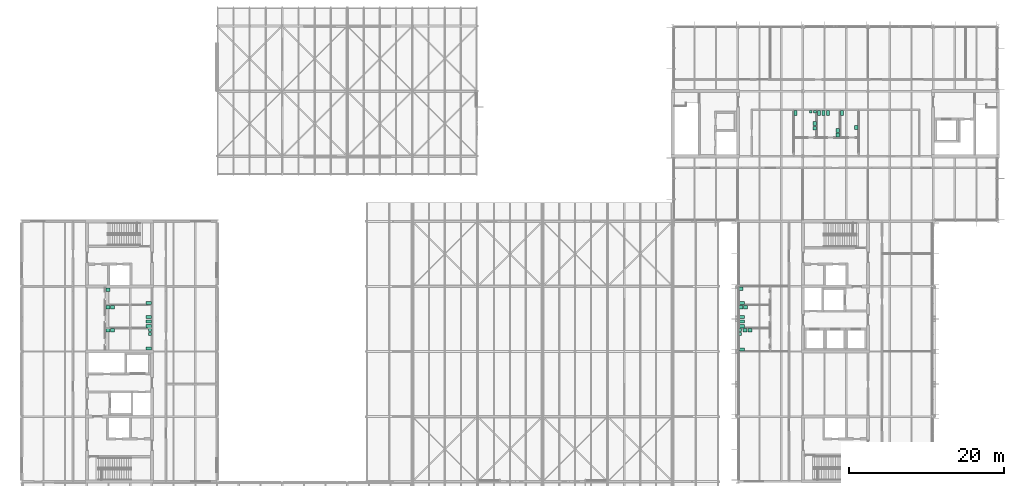
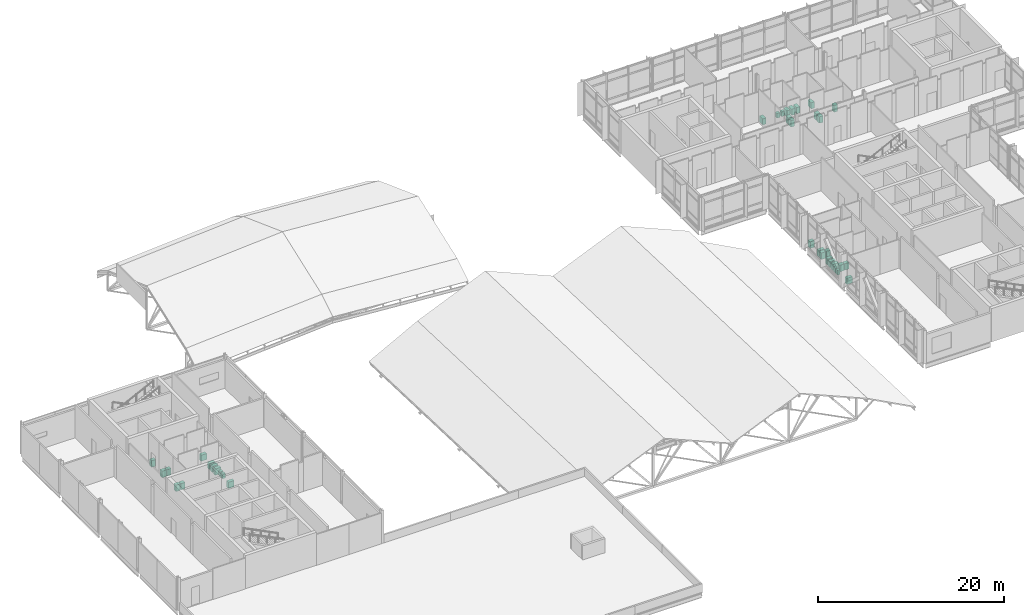
# One storey, part 76 of 76: 36 sanitary terminals.
"""IFC4 building model written with IfcOpenShell, lengths in metres."""

from ifc_helpers import new_model, si_unit, direction, frame, origin, origin_2d, place, context, subcontext, project, spatial, rectangle, extrude, element, save


model = new_model("IFC4")

# Units and contexts
model_context = context("Model", 3, precision=1e-05, world=origin(), true_north=direction((0.0, 1.0)))
body_context = subcontext(model_context, "Body", "Model", "MODEL_VIEW")
ifc_project = project(units=[si_unit("LENGTHUNIT", "METRE"), si_unit("AREAUNIT", "SQUARE_METRE"), si_unit("VOLUMEUNIT", "CUBIC_METRE"), si_unit("PLANEANGLEUNIT", "RADIAN"), si_unit("MASSUNIT", "GRAM", prefix="KILO")], contexts=[model_context])

# Site, building, storey
site_placement = place(None, origin())
site = spatial("IfcSite", under=ifc_project, at=site_placement, CompositionType="ELEMENT")
building_placement = place(site_placement, origin())
building = spatial("IfcBuilding", under=site, at=building_placement, Name="Hlaing Beacon Police Headquarters", CompositionType="ELEMENT")
storey_placement = place(building_placement, frame((0.0, 0.0, 18.89990234375)))
storey = spatial("IfcBuildingStorey", under=building, at=storey_placement, Name="L04", CompositionType="ELEMENT", Elevation=18.89990234375)

# Sanitary terminals
sanitary_terminal_1_placement = place(storey_placement, frame((101.300048828125, 56.6630859375, 0.0), z_axis=(0.0, 0.0, 1.0), x_axis=(1.0, 0.0, 0.0)))
element("IfcSanitaryTerminal", 1, at=sanitary_terminal_1_placement, inside=storey, Name="Water closet", PredefinedType="TOILETPAN", context=body_context, shape_type="SweptSolid", body=[
    extrude(rectangle(XDim=0.699951171875, YDim=0.39990234375, at=origin_2d()), origin(), (0.0, 0.0, 1.0), 0.800048828125),
])
sanitary_terminal_2_placement = place(storey_placement, frame((101.199951171875, 58.512939453125, 0.0), z_axis=(0.0, 0.0, 1.0), x_axis=(1.0, 0.0, 0.0)))
element("IfcSanitaryTerminal", 2, at=sanitary_terminal_2_placement, inside=storey, Name="Wash basin", PredefinedType="WASHHANDBASIN", context=body_context, shape_type="SweptSolid", body=[
    extrude(rectangle(XDim=0.5, YDim=0.449951171875, at=origin_2d()), origin(), (0.0, 0.0, 1.0), 0.85009765625),
])
for number, where, z_axis, x_axis, name in (
    (3, (101.300048828125, 53.662109375, 0.0), (0.0, 0.0, 1.0), (1.0, 0.0, 0.0), "Water closet"),
    (4, (101.300048828125, 54.262939453125, 0.0), (0.0, 0.0, 1.0), (1.0, 0.0, 0.0), "Water closet"),
    (5, (101.300048828125, 54.863037109375, 0.0), (0.0, 0.0, 1.0), (1.0, 0.0, 0.0), "Water closet"),
):
    element("IfcSanitaryTerminal", number, at=place(storey_placement, frame(where, z_axis=z_axis, x_axis=x_axis)), inside=storey, Name=name, PredefinedType="TOILETPAN", context=body_context, shape_type="SweptSolid", body=[
        extrude(rectangle(XDim=0.699951171875, YDim=0.39990234375, at=origin_2d()), origin(), (0.0, 0.0, 1.0), 0.800048828125),
    ])
for number, where, z_axis, x_axis, name in (
    (6, (101.199951171875, 56.112060546875, 0.0), (0.0, 0.0, 1.0), (1.0, 0.0, 0.0), "Wash basin"),
    (7, (101.800048828125, 56.112060546875, 0.0), (0.0, 0.0, 1.0), (1.0, 0.0, 0.0), "Wash basin"),
):
    element("IfcSanitaryTerminal", number, at=place(storey_placement, frame(where, z_axis=z_axis, x_axis=x_axis)), inside=storey, Name=name, PredefinedType="WASHHANDBASIN", context=body_context, shape_type="SweptSolid", body=[
        extrude(rectangle(XDim=0.5, YDim=0.449951171875, at=origin_2d()), origin(), (0.0, 0.0, 1.0), 0.85009765625),
    ])
sanitary_terminal_3_placement = place(storey_placement, frame((101.300048828125, 50.6630859375, 0.0), z_axis=(0.0, 0.0, 1.0), x_axis=(1.0, 0.0, 0.0)))
element("IfcSanitaryTerminal", 8, at=sanitary_terminal_3_placement, inside=storey, Name="Water closet", PredefinedType="TOILETPAN", context=body_context, shape_type="SweptSolid", body=[
    extrude(rectangle(XDim=0.699951171875, YDim=0.39990234375, at=origin_2d()), origin(), (0.0, 0.0, 1.0), 0.800048828125),
])
for number, where, z_axis, x_axis, name in (
    (9, (101.125, 53.162109375, 0.0), (0.0, 0.0, 1.0), (1.0, 0.0, 0.0), "Urinal"),
    (10, (101.125, 52.6630859375, 0.0), (0.0, 0.0, 1.0), (1.0, 0.0, 0.0), "Urinal"),
):
    element("IfcSanitaryTerminal", number, at=place(storey_placement, frame(where, z_axis=z_axis, x_axis=x_axis)), inside=storey, Name=name, PredefinedType="URINAL", context=body_context, shape_type="SweptSolid", body=[
        extrude(rectangle(XDim=0.35009765625, YDim=0.35009765625, at=origin_2d()), origin(), (0.0, 0.0, 1.0), 0.60009765625),
    ])
for number, where, z_axis, x_axis, name in (
    (11, (101.75, 53.112060546875, 0.0), (0.0, 0.0, 1.0), (1.0, 0.0, 0.0), "Wash basin"),
    (12, (102.35009765625, 53.112060546875, 0.0), (0.0, 0.0, 1.0), (1.0, 0.0, 0.0), "Wash basin"),
):
    element("IfcSanitaryTerminal", number, at=place(storey_placement, frame(where, z_axis=z_axis, x_axis=x_axis)), inside=storey, Name=name, PredefinedType="WASHHANDBASIN", context=body_context, shape_type="SweptSolid", body=[
        extrude(rectangle(XDim=0.5, YDim=0.449951171875, at=origin_2d()), origin(), (0.0, 0.0, 1.0), 0.85009765625),
    ])
sanitary_terminal_4_placement = place(storey_placement, frame((24.77490234375, 56.6630859375, 0.0), z_axis=(0.0, 0.0, 1.0), x_axis=(1.0, 0.0, 0.0)))
element("IfcSanitaryTerminal", 13, at=sanitary_terminal_4_placement, inside=storey, Name="Water closet", PredefinedType="TOILETPAN", context=body_context, shape_type="SweptSolid", body=[
    extrude(rectangle(XDim=0.699951171875, YDim=0.39990234375, at=origin_2d()), origin(), (0.0, 0.0, 1.0), 0.800048828125),
])
sanitary_terminal_5_placement = place(storey_placement, frame((19.511962890625, 58.375, 0.0), z_axis=(0.0, 0.0, 1.0), x_axis=(1.0, 0.0, 0.0)))
element("IfcSanitaryTerminal", 14, at=sanitary_terminal_5_placement, inside=storey, Name="Wash basin", PredefinedType="WASHHANDBASIN", context=body_context, shape_type="SweptSolid", body=[
    extrude(rectangle(XDim=0.5, YDim=0.449951171875, at=origin_2d()), origin(), (0.0, 0.0, 1.0), 0.85009765625),
])
for number, where, z_axis, x_axis, name in (
    (15, (24.77490234375, 53.6630859375, 0.0), (0.0, 0.0, 1.0), (1.0, 0.0, 0.0), "Water closet"),
    (16, (24.77490234375, 54.261962890625, 0.0), (0.0, 0.0, 1.0), (1.0, 0.0, 0.0), "Water closet"),
    (17, (24.77490234375, 54.863037109375, 0.0), (0.0, 0.0, 1.0), (1.0, 0.0, 0.0), "Water closet"),
):
    element("IfcSanitaryTerminal", number, at=place(storey_placement, frame(where, z_axis=z_axis, x_axis=x_axis)), inside=storey, Name=name, PredefinedType="TOILETPAN", context=body_context, shape_type="SweptSolid", body=[
        extrude(rectangle(XDim=0.699951171875, YDim=0.39990234375, at=origin_2d()), origin(), (0.0, 0.0, 1.0), 0.800048828125),
    ])
for number, where, z_axis, x_axis, name in (
    (18, (19.511962890625, 56.112060546875, 0.0), (0.0, 0.0, 1.0), (1.0, 0.0, 0.0), "Wash basin"),
    (19, (20.113037109375, 56.112060546875, 0.0), (0.0, 0.0, 1.0), (1.0, 0.0, 0.0), "Wash basin"),
):
    element("IfcSanitaryTerminal", number, at=place(storey_placement, frame(where, z_axis=z_axis, x_axis=x_axis)), inside=storey, Name=name, PredefinedType="WASHHANDBASIN", context=body_context, shape_type="SweptSolid", body=[
        extrude(rectangle(XDim=0.5, YDim=0.449951171875, at=origin_2d()), origin(), (0.0, 0.0, 1.0), 0.85009765625),
    ])
sanitary_terminal_6_placement = place(storey_placement, frame((24.77490234375, 50.800048828125, 0.0), z_axis=(0.0, 0.0, 1.0), x_axis=(1.0, 0.0, 0.0)))
element("IfcSanitaryTerminal", 20, at=sanitary_terminal_6_placement, inside=storey, Name="Water closet", PredefinedType="TOILETPAN", context=body_context, shape_type="SweptSolid", body=[
    extrude(rectangle(XDim=0.699951171875, YDim=0.39990234375, at=origin_2d()), origin(), (0.0, 0.0, 1.0), 0.800048828125),
])
for number, where, z_axis, x_axis, name in (
    (21, (24.949951171875, 53.162109375, 0.0), (0.0, 0.0, 1.0), (1.0, 0.0, 0.0), "Urinal"),
    (22, (24.949951171875, 52.662109375, 0.0), (0.0, 0.0, 1.0), (1.0, 0.0, 0.0), "Urinal"),
):
    element("IfcSanitaryTerminal", number, at=place(storey_placement, frame(where, z_axis=z_axis, x_axis=x_axis)), inside=storey, Name=name, PredefinedType="URINAL", context=body_context, shape_type="SweptSolid", body=[
        extrude(rectangle(XDim=0.35009765625, YDim=0.35009765625, at=origin_2d()), origin(), (0.0, 0.0, 1.0), 0.60009765625),
    ])
for number, where, z_axis, x_axis, name in (
    (23, (19.511962890625, 53.112060546875, 0.0), (0.0, 0.0, 1.0), (1.0, 0.0, 0.0), "Wash basin"),
    (24, (20.113037109375, 53.112060546875, 0.0), (0.0, 0.0, 1.0), (1.0, 0.0, 0.0), "Wash basin"),
):
    element("IfcSanitaryTerminal", number, at=place(storey_placement, frame(where, z_axis=z_axis, x_axis=x_axis)), inside=storey, Name=name, PredefinedType="WASHHANDBASIN", context=body_context, shape_type="SweptSolid", body=[
        extrude(rectangle(XDim=0.5, YDim=0.449951171875, at=origin_2d()), origin(), (0.0, 0.0, 1.0), 0.85009765625),
    ])
sanitary_terminal_7_placement = place(storey_placement, frame((114.262939453125, 81.175048828125, 0.0), z_axis=(0.0, 0.0, 1.0), x_axis=(1.0, 0.0, 0.0)))
element("IfcSanitaryTerminal", 25, at=sanitary_terminal_7_placement, inside=storey, Name="Water closet", PredefinedType="TOILETPAN", context=body_context, shape_type="SweptSolid", body=[
    extrude(rectangle(XDim=0.39990234375, YDim=0.699951171875, at=origin_2d()), origin(), (0.0, 0.0, 1.0), 0.800048828125),
])
sanitary_terminal_8_placement = place(storey_placement, frame((116.113037109375, 79.31201171875, 0.0), z_axis=(0.0, 0.0, 1.0), x_axis=(1.0, 0.0, 0.0)))
element("IfcSanitaryTerminal", 26, at=sanitary_terminal_8_placement, inside=storey, Name="Wash basin", PredefinedType="WASHHANDBASIN", context=body_context, shape_type="SweptSolid", body=[
    extrude(rectangle(XDim=0.449951171875, YDim=0.5, at=origin_2d()), origin(), (0.0, 0.0, 1.0), 0.85009765625),
])
for number, where, z_axis, x_axis, name in (
    (27, (111.261962890625, 81.175048828125, 0.0), (0.0, 0.0, 1.0), (1.0, 0.0, 0.0), "Water closet"),
    (28, (111.862060546875, 81.175048828125, 0.0), (0.0, 0.0, 1.0), (1.0, 0.0, 0.0), "Water closet"),
    (29, (112.462890625, 81.175048828125, 0.0), (0.0, 0.0, 1.0), (1.0, 0.0, 0.0), "Water closet"),
):
    element("IfcSanitaryTerminal", number, at=place(storey_placement, frame(where, z_axis=z_axis, x_axis=x_axis)), inside=storey, Name=name, PredefinedType="TOILETPAN", context=body_context, shape_type="SweptSolid", body=[
        extrude(rectangle(XDim=0.39990234375, YDim=0.699951171875, at=origin_2d()), origin(), (0.0, 0.0, 1.0), 0.800048828125),
    ])
for number, where, z_axis, x_axis, name in (
    (30, (113.7119140625, 78.31201171875, 0.0), (0.0, 0.0, 1.0), (1.0, 0.0, 0.0), "Wash basin"),
    (31, (113.7119140625, 78.912109375, 0.0), (0.0, 0.0, 1.0), (1.0, 0.0, 0.0), "Wash basin"),
):
    element("IfcSanitaryTerminal", number, at=place(storey_placement, frame(where, z_axis=z_axis, x_axis=x_axis)), inside=storey, Name=name, PredefinedType="WASHHANDBASIN", context=body_context, shape_type="SweptSolid", body=[
        extrude(rectangle(XDim=0.449951171875, YDim=0.5, at=origin_2d()), origin(), (0.0, 0.0, 1.0), 0.85009765625),
    ])
sanitary_terminal_9_placement = place(storey_placement, frame((108.262939453125, 81.175048828125, 0.0), z_axis=(0.0, 0.0, 1.0), x_axis=(1.0, 0.0, 0.0)))
element("IfcSanitaryTerminal", 32, at=sanitary_terminal_9_placement, inside=storey, Name="Water closet", PredefinedType="TOILETPAN", context=body_context, shape_type="SweptSolid", body=[
    extrude(rectangle(XDim=0.39990234375, YDim=0.699951171875, at=origin_2d()), origin(), (0.0, 0.0, 1.0), 0.800048828125),
])
for number, where, z_axis, x_axis, name in (
    (33, (110.762939453125, 81.35009765625, 0.0), (0.0, 0.0, 1.0), (1.0, 0.0, 0.0), "Urinal"),
    (34, (110.212890625, 81.35009765625, 0.0), (0.0, 0.0, 1.0), (1.0, 0.0, 0.0), "Urinal"),
):
    element("IfcSanitaryTerminal", number, at=place(storey_placement, frame(where, z_axis=z_axis, x_axis=x_axis)), inside=storey, Name=name, PredefinedType="URINAL", context=body_context, shape_type="SweptSolid", body=[
        extrude(rectangle(XDim=0.35009765625, YDim=0.35009765625, at=origin_2d()), origin(), (0.0, 0.0, 1.0), 0.60009765625),
    ])
for number, where, z_axis, x_axis, name in (
    (35, (110.712890625, 79.212890625, 0.0), (0.0, 0.0, 1.0), (1.0, 0.0, 0.0), "Wash basin"),
    (36, (110.712890625, 79.81201171875, 0.0), (0.0, 0.0, 1.0), (1.0, 0.0, 0.0), "Wash basin"),
):
    element("IfcSanitaryTerminal", number, at=place(storey_placement, frame(where, z_axis=z_axis, x_axis=x_axis)), inside=storey, Name=name, PredefinedType="WASHHANDBASIN", context=body_context, shape_type="SweptSolid", body=[
        extrude(rectangle(XDim=0.449951171875, YDim=0.5, at=origin_2d()), origin(), (0.0, 0.0, 1.0), 0.85009765625),
    ])

save(model, "model.ifc")
